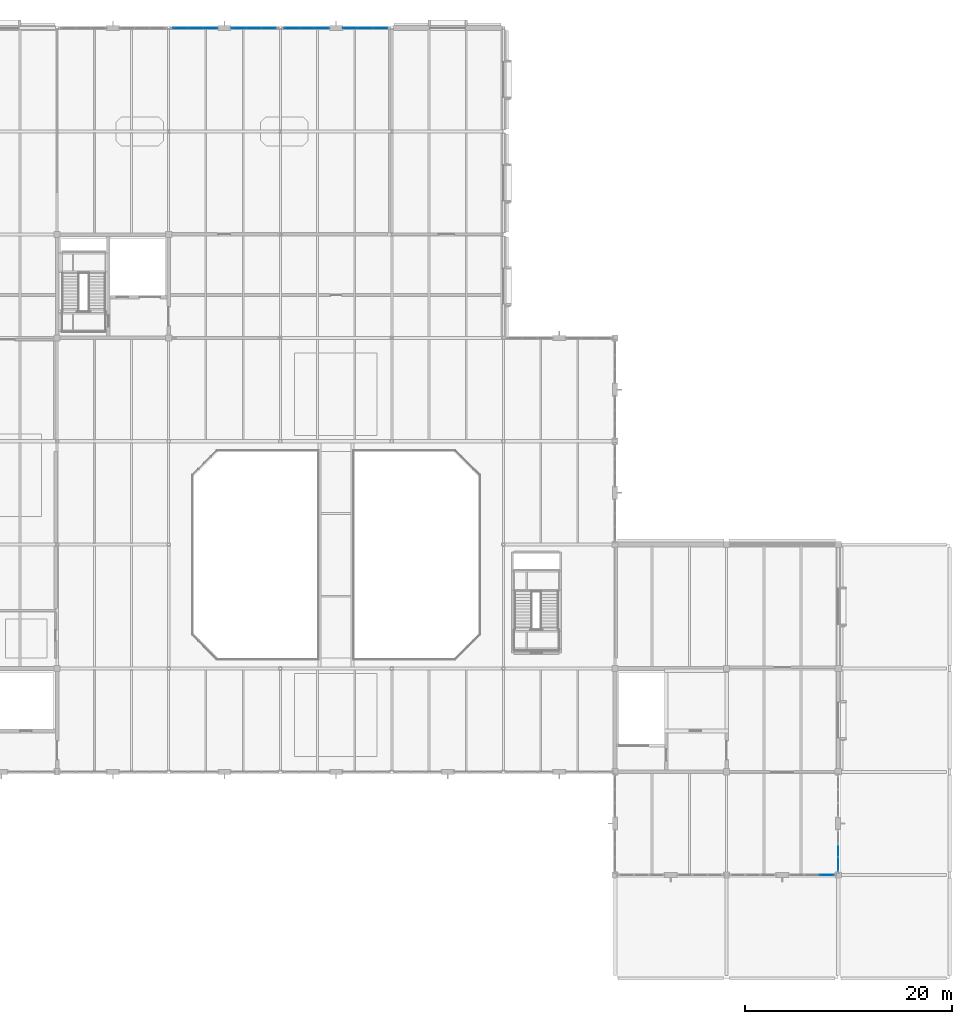
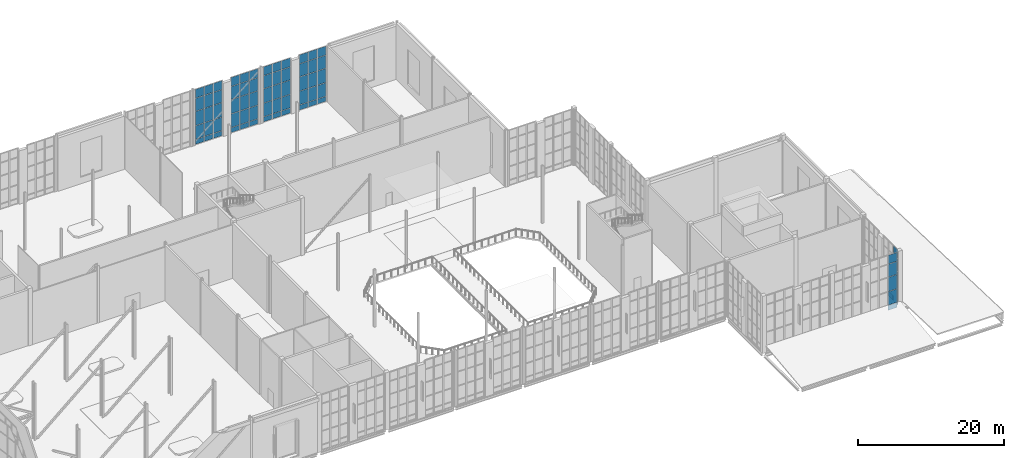
# One storey, part 72 of 100: 71 plates, 6 elements without a shape of their own.
"""IFC4 building model written with IfcOpenShell, lengths in metres."""

import ifcopenshell
import ifcopenshell.guid

model = None  # the IFC model being written
_history = None  # IfcOwnerHistory: only IFC2X3 demands one
_inside = {}  # id of a spatial element -> (the spatial element, [elements in it])
_under = {}  # id of a project, library or spatial element -> (it, [spatial elements below it])
_declared = {}  # id of a project -> (the project, [libraries it declares])
_typed = {}  # id of a type object -> (the type object, [elements of that type])
_made_of = {}  # id of a material, layer set ... -> (it, [elements and type objects made of it])


def new_model(schema):
    """Start an empty IFC model of exactly this schema.

    Asked for "IFC4X3", IfcOpenShell would pick the latest addendum, in which some entities
    have other attributes; the version numbers below select the first issue.
    IFC2X3 requires an IfcOwnerHistory on every rooted entity: one is made here for all.
    """
    global model, _history
    if schema == "IFC4X3":
        model = ifcopenshell.file(schema_version=(4, 3, 0, 0))
    else:
        model = ifcopenshell.file(schema=schema)
    _inside.clear()
    _under.clear()
    _declared.clear()
    _typed.clear()
    _made_of.clear()
    _history = None
    if model.schema == "IFC2X3":
        org = make("IfcOrganization", Name="unknown")
        user = make(
            "IfcPersonAndOrganization",
            ThePerson=make("IfcPerson", FamilyName="unknown"),
            TheOrganization=org,
        )
        app = make(
            "IfcApplication",
            ApplicationDeveloper=org,
            Version="unknown",
            ApplicationFullName="unknown",
            ApplicationIdentifier="unknown",
        )
        _history = make(
            "IfcOwnerHistory",
            OwningUser=user,
            OwningApplication=app,
            ChangeAction="ADDED",
            CreationDate=0,
        )
    return model


def make(cls, **values):
    """One entity of the class cls with the attributes given. An attribute that is None is left unset."""
    return model.create_entity(
        cls, **{name: value for name, value in values.items() if value is not None}
    )


def rooted(cls, **values):
    """An entity with a GlobalId (a new one), such as an element, a storey or a relation."""
    return make(cls, GlobalId=ifcopenshell.guid.new(), OwnerHistory=_history, **values)


def si_unit(unit_type, name, prefix=None):
    """IfcSIUnit, for example si_unit("LENGTHUNIT", "METRE", prefix="MILLI")."""
    return make("IfcSIUnit", UnitType=unit_type, Prefix=prefix, Name=name)


def assignment(units):
    """IfcUnitAssignment: the units of a project."""
    return None if units is None else make("IfcUnitAssignment", Units=units)


def point(xyz):
    """IfcCartesianPoint."""
    return None if xyz is None else make("IfcCartesianPoint", Coordinates=xyz)


def direction(xyz):
    """IfcDirection."""
    return None if xyz is None else make("IfcDirection", DirectionRatios=xyz)


def frame(location, z_axis=None, x_axis=None):
    """IfcAxis2Placement3D, a coordinate frame: its origin and axes. An axis left out is left unset."""
    return make(
        "IfcAxis2Placement3D",
        Location=point(location),
        Axis=direction(z_axis),
        RefDirection=direction(x_axis),
    )


def frame_2d(location, x_axis=None):
    """IfcAxis2Placement2D, a coordinate frame in the plane: its origin and x axis."""
    return make(
        "IfcAxis2Placement2D", Location=point(location), RefDirection=direction(x_axis)
    )


def origin():
    """The frame at (0, 0, 0) with its axes left unset."""
    return frame((0.0, 0.0, 0.0))


def origin_2d():
    """The frame at (0, 0) in the plane with its x axis left unset."""
    return frame_2d((0.0, 0.0))


def place(relative_to, where):
    """IfcLocalPlacement: puts the frame where relative to a parent placement (None: the world)."""
    return make(
        "IfcLocalPlacement", PlacementRelTo=relative_to, RelativePlacement=where
    )


def context(
    kind, dimensions, precision=None, world=None, true_north=None, identifier=None
):
    """IfcGeometricRepresentationContext, for example the 3D "Model" context."""
    return make(
        "IfcGeometricRepresentationContext",
        ContextIdentifier=identifier,
        ContextType=kind,
        CoordinateSpaceDimension=dimensions,
        Precision=precision,
        WorldCoordinateSystem=world,
        TrueNorth=true_north,
    )


def subcontext(parent, identifier, kind, view, scale=None):
    """IfcGeometricRepresentationSubContext, for example "Body" below "Model"."""
    return make(
        "IfcGeometricRepresentationSubContext",
        ContextIdentifier=identifier,
        ContextType=kind,
        ParentContext=parent,
        TargetScale=scale,
        TargetView=view,
    )


def project(units=None, contexts=None):
    """IfcProject with its units and contexts."""
    return rooted(
        "IfcProject",
        Name="project",
        RepresentationContexts=contexts,
        UnitsInContext=assignment(units),
    )


def spatial(cls, under=None, at=None, **own):
    """A site, building, storey or space (cls), placed at a placement, below another one or the project."""
    s = rooted(cls, ObjectPlacement=at, **own)
    if under is not None:
        _under.setdefault(under.id(), (under, []))[1].append(s)
    return s


def profile(cls, at=None, kind="AREA", **sizes):
    """A parametric profile (cls). Its sizes go by their IFC names, for example OverallWidth=200.0."""
    return make(cls, ProfileType=kind, Position=at, **sizes)


def rectangle(**sizes):
    """IfcRectangleProfileDef."""
    return profile("IfcRectangleProfileDef", **sizes)


def extrude(swept, where, along, depth):
    """IfcExtrudedAreaSolid: the profile swept, set in the frame where, extruded along a direction by depth."""
    return make(
        "IfcExtrudedAreaSolid",
        SweptArea=swept,
        Position=where,
        ExtrudedDirection=direction(along),
        Depth=depth,
    )


def shape(context_of_items, identifier, shape_type, items):
    """IfcShapeRepresentation: the items that make up one representation, for example the "Body"."""
    return make(
        "IfcShapeRepresentation",
        ContextOfItems=context_of_items,
        RepresentationIdentifier=identifier,
        RepresentationType=shape_type,
        Items=items,
    )


def material(Name=None, Category=None):
    """IfcMaterial."""
    return make("IfcMaterial", Name=Name, Category=Category)


def layer(
    of_material, thickness, ventilated=None, Name=None, Category=None, Priority=None
):
    """IfcMaterialLayer: one layer of a wall or slab, of a material (None: an air gap)."""
    return make(
        "IfcMaterialLayer",
        Material=of_material,
        LayerThickness=thickness,
        IsVentilated=ventilated,
        Name=Name,
        Category=Category,
        Priority=Priority,
    )


def layer_set(layers, Name=None):
    """IfcMaterialLayerSet."""
    return make("IfcMaterialLayerSet", MaterialLayers=layers, LayerSetName=Name)


def made_of(thing, what):
    """Note that an element or type object is made of a material, layer set ...; save() writes the relation."""
    if what is not None:
        _made_of.setdefault(what.id(), (what, []))[1].append(thing)
    return thing


def type_object(cls, material=None, **own):
    """A type object (cls), such as IfcWallType, which elements share."""
    return made_of(rooted(cls, **own), material)


def element(
    cls,
    number,
    at=None,
    inside=None,
    cuts=None,
    type_object=None,
    material=None,
    context=None,
    identifier="Body",
    shape_type=None,
    held_by="IfcProductDefinitionShape",
    body=None,
    shapes=None,
    **own,
):
    """One element of the class cls, such as IfcWall. Its Tag is "e" and its number.

    at: its placement. inside: the storey or other place that contains it. cuts: it is an
    opening in that element (IfcRelVoidsElement). A single representation is given by context,
    identifier, shape_type and body (its items); several are given by shapes. held_by: the class
    of the entity that holds the representations. save() writes the other relations.
    """
    e = rooted(cls, Tag="e%d" % number, ObjectPlacement=at, **own)
    if body is not None:
        shapes = [shape(context, identifier, shape_type, body)]
    if shapes is not None:
        e.Representation = make(held_by, Representations=shapes)
    if inside is not None:
        _inside.setdefault(inside.id(), (inside, []))[1].append(e)
    if cuts is not None:
        rooted(
            "IfcRelVoidsElement", RelatingBuildingElement=cuts, RelatedOpeningElement=e
        )
    if type_object is not None:
        _typed.setdefault(type_object.id(), (type_object, []))[1].append(e)
    return made_of(e, material)


def aggregate(whole, parts):
    """IfcRelAggregates: a whole, such as a stair, and the parts it consists of."""
    return rooted("IfcRelAggregates", RelatingObject=whole, RelatedObjects=parts)


def save(model, path):
    """Write the relations noted so far, then the file.

    IfcRelAggregates (storeys below a building ...), IfcRelContainedInSpatialStructure (elements
    in a storey), IfcRelDefinesByType, IfcRelAssociatesMaterial and IfcRelDeclares: one each for
    every whole, place, type object, material and project.
    """
    for whole, parts in _under.values():
        aggregate(whole, parts)
    for where, things in _inside.values():
        rooted(
            "IfcRelContainedInSpatialStructure",
            RelatedElements=things,
            RelatingStructure=where,
        )
    for kind, things in _typed.values():
        rooted("IfcRelDefinesByType", RelatedObjects=things, RelatingType=kind)
    for what, things in _made_of.values():
        rooted("IfcRelAssociatesMaterial", RelatedObjects=things, RelatingMaterial=what)
    for by, libraries in _declared.values():
        rooted("IfcRelDeclares", RelatingContext=by, RelatedDefinitions=libraries)
    model.write(path)


model = new_model("IFC4")

# Units and contexts
model_context = context("Model", 3, precision=1e-05, world=origin(), true_north=direction((0.0, 1.0)))
body_context = subcontext(model_context, "Body", "Model", "MODEL_VIEW")
ifc_project = project(units=[si_unit("LENGTHUNIT", "METRE"), si_unit("AREAUNIT", "SQUARE_METRE"), si_unit("VOLUMEUNIT", "CUBIC_METRE"), si_unit("PLANEANGLEUNIT", "RADIAN"), si_unit("MASSUNIT", "GRAM", prefix="KILO")], contexts=[model_context])

# Site, building, storey
site_placement = place(None, origin())
site = spatial("IfcSite", under=ifc_project, at=site_placement, CompositionType="ELEMENT")
building_placement = place(site_placement, origin())
building = spatial("IfcBuilding", under=site, at=building_placement, Name="Tasgan Crest Museum", CompositionType="ELEMENT")
storey_placement = place(building_placement, frame((0.0, 0.0, 14.39990234375)))
storey = spatial("IfcBuildingStorey", under=building, at=storey_placement, Name="L03", CompositionType="ELEMENT", Elevation=14.39990234375)

# Curtain wall, plate
ifc_material_1 = material(Name="Triple-Glazed Aluminium Curtain Wall", Category="aluminium")
ifc_layer_1 = layer(ifc_material_1, 0.179931640625, Name="CW-GAL-X-96")
ifc_layer_set_1 = layer_set([ifc_layer_1], Name="Triple-Glazed Aluminium Curtain Wall")
curtain_wall_type_1 = type_object("IfcCurtainWallType", Name="CW-GAL-X-96", PredefinedType="NOTDEFINED", material=ifc_layer_set_1)
curtain_wall_1_placement = place(storey_placement, origin())
curtain_wall_1 = element("IfcCurtainWall", 1, at=curtain_wall_1_placement, inside=storey, type_object=curtain_wall_type_1, Name="Curtain wall L03 116", PredefinedType="NOTDEFINED")
ifc_material_2 = material(Name="Insulated Spandrel Glass", Category="glass")
ifc_layer_2 = layer(ifc_material_2, 0.052001953125, Name="CW-PANEL-SPANDREL")
ifc_layer_set_2 = layer_set([ifc_layer_2], Name="Insulated Spandrel Glass")
plate_type_1 = type_object("IfcPlateType", Name="CW-PANEL-SPANDREL", PredefinedType="CURTAIN_PANEL", material=ifc_layer_set_2)
plate_1_placement = place(storey_placement, frame((128.48828125, 30.0, 0.06005859375), z_axis=(0.0, 0.0, 1.0), x_axis=(1.0, 0.0, 0.0)))
plate_1 = element("IfcPlate", 2, at=plate_1_placement, type_object=plate_type_1, Name="CW14 panel 3.1", PredefinedType="CURTAIN_PANEL", context=body_context, shape_type="SweptSolid", body=[
    extrude(rectangle(XDim=1.373291015625, YDim=0.028076171875, at=origin_2d()), origin(), (0.0, 0.0, 1.0), 0.81005859375),
])

# Curtain wall, plates
ifc_material_3 = material(Name="Triple-Glazed Aluminium Curtain Wall", Category="aluminium")
ifc_layer_3 = layer(ifc_material_3, 0.179931640625, Name="CW-GAL-Y-96")
ifc_layer_set_3 = layer_set([ifc_layer_3], Name="Triple-Glazed Aluminium Curtain Wall")
curtain_wall_type_2 = type_object("IfcCurtainWallType", Name="CW-GAL-Y-96", PredefinedType="NOTDEFINED", material=ifc_layer_set_3)
curtain_wall_2_placement = place(storey_placement, origin())
curtain_wall_2 = element("IfcCurtainWall", 3, at=curtain_wall_2_placement, inside=storey, type_object=curtain_wall_type_2, Name="Curtain wall L03 117", PredefinedType="NOTDEFINED")
plate_2_placement = place(storey_placement, frame((129.60009765625, 31.044921875, 0.06005859375), z_axis=(0.0, 0.0, 1.0), x_axis=(0.0, 1.0, 0.0)))
plate_2 = element("IfcPlate", 4, at=plate_2_placement, type_object=plate_type_1, Name="CW17 panel 1.1", PredefinedType="CURTAIN_PANEL", context=body_context, shape_type="SweptSolid", body=[
    extrude(rectangle(XDim=1.239990234375, YDim=0.028076171875, at=origin_2d()), origin(), (0.0, 0.0, 1.0), 0.81005859375),
])
plate_3_placement = place(storey_placement, frame((129.60009765625, 32.360107421875, 0.06005859375), z_axis=(0.0, 0.0, 1.0), x_axis=(0.0, 1.0, 0.0)))
plate_3 = element("IfcPlate", 5, at=plate_3_placement, type_object=plate_type_1, Name="CW17 panel 2.1", PredefinedType="CURTAIN_PANEL", context=body_context, shape_type="SweptSolid", body=[
    extrude(rectangle(XDim=1.27001953125, YDim=0.028076171875, at=origin_2d()), origin(), (0.0, 0.0, 1.0), 0.81005859375),
])

curtain_wall_3_placement = place(storey_placement, origin())
curtain_wall_3 = element("IfcCurtainWall", 6, at=curtain_wall_3_placement, inside=storey, type_object=curtain_wall_type_1, Name="Curtain wall L03 125", PredefinedType="NOTDEFINED")
plate_4_placement = place(storey_placement, frame((85.288330078125, 112.0, 0.06005859375), z_axis=(0.0, 0.0, 1.0), x_axis=(-1.0, 0.0, 0.0)))
plate_4 = element("IfcPlate", 7, at=plate_4_placement, type_object=plate_type_1, Name="CW14 panel 1.1", PredefinedType="CURTAIN_PANEL", context=body_context, shape_type="SweptSolid", body=[
    extrude(rectangle(XDim=1.373291015625, YDim=0.028076171875, at=origin_2d()), origin(), (0.0, 0.0, 1.0), 0.81005859375),
])
plate_5_placement = place(storey_placement, frame((83.840087890625, 112.0, 0.06005859375), z_axis=(0.0, 0.0, 1.0), x_axis=(-1.0, 0.0, 0.0)))
plate_5 = element("IfcPlate", 8, at=plate_5_placement, type_object=plate_type_1, Name="CW14 panel 2.1", PredefinedType="CURTAIN_PANEL", context=body_context, shape_type="SweptSolid", body=[
    extrude(rectangle(XDim=1.4033203125, YDim=0.028076171875, at=origin_2d()), origin(), (0.0, 0.0, 1.0), 0.81005859375),
])
plate_6_placement = place(storey_placement, frame((82.3916015625, 112.0, 0.06005859375), z_axis=(0.0, 0.0, 1.0), x_axis=(-1.0, 0.0, 0.0)))
plate_6 = element("IfcPlate", 9, at=plate_6_placement, type_object=plate_type_1, Name="CW14 panel 3.1", PredefinedType="CURTAIN_PANEL", context=body_context, shape_type="SweptSolid", body=[
    extrude(rectangle(XDim=1.373291015625, YDim=0.028076171875, at=origin_2d()), origin(), (0.0, 0.0, 1.0), 0.81005859375),
])

curtain_wall_4_placement = place(storey_placement, origin())
curtain_wall_4 = element("IfcCurtainWall", 10, at=curtain_wall_4_placement, inside=storey, type_object=curtain_wall_type_1, Name="Curtain wall L03 126", PredefinedType="NOTDEFINED")
plate_7_placement = place(storey_placement, frame((79.6083984375, 112.0, 0.06005859375), z_axis=(0.0, 0.0, 1.0), x_axis=(-1.0, 0.0, 0.0)))
plate_7 = element("IfcPlate", 11, at=plate_7_placement, type_object=plate_type_1, Name="CW14 panel 1.1", PredefinedType="CURTAIN_PANEL", context=body_context, shape_type="SweptSolid", body=[
    extrude(rectangle(XDim=1.373291015625, YDim=0.028076171875, at=origin_2d()), origin(), (0.0, 0.0, 1.0), 0.81005859375),
])
plate_8_placement = place(storey_placement, frame((78.159912109375, 112.0, 0.06005859375), z_axis=(0.0, 0.0, 1.0), x_axis=(-1.0, 0.0, 0.0)))
plate_8 = element("IfcPlate", 12, at=plate_8_placement, type_object=plate_type_1, Name="CW14 panel 2.1", PredefinedType="CURTAIN_PANEL", context=body_context, shape_type="SweptSolid", body=[
    extrude(rectangle(XDim=1.4033203125, YDim=0.028076171875, at=origin_2d()), origin(), (0.0, 0.0, 1.0), 0.81005859375),
])
plate_9_placement = place(storey_placement, frame((76.711669921875, 112.0, 0.06005859375), z_axis=(0.0, 0.0, 1.0), x_axis=(-1.0, 0.0, 0.0)))
plate_9 = element("IfcPlate", 13, at=plate_9_placement, type_object=plate_type_1, Name="CW14 panel 3.1", PredefinedType="CURTAIN_PANEL", context=body_context, shape_type="SweptSolid", body=[
    extrude(rectangle(XDim=1.373291015625, YDim=0.028076171875, at=origin_2d()), origin(), (0.0, 0.0, 1.0), 0.81005859375),
])

curtain_wall_5_placement = place(storey_placement, origin())
curtain_wall_5 = element("IfcCurtainWall", 14, at=curtain_wall_5_placement, inside=storey, type_object=curtain_wall_type_1, Name="Curtain wall L03 127", PredefinedType="NOTDEFINED")
plate_10_placement = place(storey_placement, frame((74.48828125, 112.0, 0.06005859375), z_axis=(0.0, 0.0, 1.0), x_axis=(-1.0, 0.0, 0.0)))
plate_10 = element("IfcPlate", 15, at=plate_10_placement, type_object=plate_type_1, Name="CW14 panel 1.1", PredefinedType="CURTAIN_PANEL", context=body_context, shape_type="SweptSolid", body=[
    extrude(rectangle(XDim=1.373291015625, YDim=0.028076171875, at=origin_2d()), origin(), (0.0, 0.0, 1.0), 0.81005859375),
])
plate_11_placement = place(storey_placement, frame((73.0400390625, 112.0, 0.06005859375), z_axis=(0.0, 0.0, 1.0), x_axis=(-1.0, 0.0, 0.0)))
plate_11 = element("IfcPlate", 16, at=plate_11_placement, type_object=plate_type_1, Name="CW14 panel 2.1", PredefinedType="CURTAIN_PANEL", context=body_context, shape_type="SweptSolid", body=[
    extrude(rectangle(XDim=1.4033203125, YDim=0.028076171875, at=origin_2d()), origin(), (0.0, 0.0, 1.0), 0.81005859375),
])
plate_12_placement = place(storey_placement, frame((71.591552734375, 112.0, 0.06005859375), z_axis=(0.0, 0.0, 1.0), x_axis=(-1.0, 0.0, 0.0)))
plate_12 = element("IfcPlate", 17, at=plate_12_placement, type_object=plate_type_1, Name="CW14 panel 3.1", PredefinedType="CURTAIN_PANEL", context=body_context, shape_type="SweptSolid", body=[
    extrude(rectangle(XDim=1.373291015625, YDim=0.028076171875, at=origin_2d()), origin(), (0.0, 0.0, 1.0), 0.81005859375),
])

curtain_wall_6_placement = place(storey_placement, origin())
curtain_wall_6 = element("IfcCurtainWall", 18, at=curtain_wall_6_placement, inside=storey, type_object=curtain_wall_type_1, Name="Curtain wall L03 128", PredefinedType="NOTDEFINED")
plate_13_placement = place(storey_placement, frame((68.808349609375, 112.0, 0.06005859375), z_axis=(0.0, 0.0, 1.0), x_axis=(-1.0, 0.0, 0.0)))
plate_13 = element("IfcPlate", 19, at=plate_13_placement, type_object=plate_type_1, Name="CW14 panel 1.1", PredefinedType="CURTAIN_PANEL", context=body_context, shape_type="SweptSolid", body=[
    extrude(rectangle(XDim=1.373291015625, YDim=0.028076171875, at=origin_2d()), origin(), (0.0, 0.0, 1.0), 0.81005859375),
])
plate_14_placement = place(storey_placement, frame((67.360107421875, 112.0, 0.06005859375), z_axis=(0.0, 0.0, 1.0), x_axis=(-1.0, 0.0, 0.0)))
plate_14 = element("IfcPlate", 20, at=plate_14_placement, type_object=plate_type_1, Name="CW14 panel 2.1", PredefinedType="CURTAIN_PANEL", context=body_context, shape_type="SweptSolid", body=[
    extrude(rectangle(XDim=1.4033203125, YDim=0.028076171875, at=origin_2d()), origin(), (0.0, 0.0, 1.0), 0.81005859375),
])
plate_15_placement = place(storey_placement, frame((65.91162109375, 112.0, 0.06005859375), z_axis=(0.0, 0.0, 1.0), x_axis=(-1.0, 0.0, 0.0)))
plate_15 = element("IfcPlate", 21, at=plate_15_placement, type_object=plate_type_1, Name="CW14 panel 3.1", PredefinedType="CURTAIN_PANEL", context=body_context, shape_type="SweptSolid", body=[
    extrude(rectangle(XDim=1.373291015625, YDim=0.028076171875, at=origin_2d()), origin(), (0.0, 0.0, 1.0), 0.81005859375),
])

# Plate
ifc_material_4 = material(Name="Low-E Triple Glazing", Category="glass")
ifc_layer_4 = layer(ifc_material_4, 0.0439453125, Name="CW-PANEL-TRIPLE")
ifc_layer_set_4 = layer_set([ifc_layer_4], Name="Low-E Triple Glazing")
plate_type_2 = type_object("IfcPlateType", Name="CW-PANEL-TRIPLE", PredefinedType="CURTAIN_PANEL", material=ifc_layer_set_4)
plate_16_placement = place(storey_placement, frame((128.48828125, 30.0, 0.93017578125), z_axis=(0.0, 0.0, 1.0), x_axis=(1.0, 0.0, 0.0)))
plate_16 = element("IfcPlate", 22, at=plate_16_placement, type_object=plate_type_2, Name="CW14 panel 3.2", PredefinedType="CURTAIN_PANEL", context=body_context, shape_type="SweptSolid", body=[
    extrude(rectangle(XDim=1.373291015625, YDim=0.028076171875, at=origin_2d()), origin(), (0.0, 0.0, 1.0), 2.239990234375),
])

plate_17_placement = place(storey_placement, frame((128.48828125, 30.0, 3.22998046875), z_axis=(0.0, 0.0, 1.0), x_axis=(1.0, 0.0, 0.0)))
plate_17 = element("IfcPlate", 23, at=plate_17_placement, type_object=plate_type_2, Name="CW14 panel 3.3", PredefinedType="CURTAIN_PANEL", context=body_context, shape_type="SweptSolid", body=[
    extrude(rectangle(XDim=1.373291015625, YDim=0.028076171875, at=origin_2d()), origin(), (0.0, 0.0, 1.0), 2.340087890625),
])

plate_18_placement = place(storey_placement, frame((128.48828125, 30.0, 5.63037109375), z_axis=(0.0, 0.0, 1.0), x_axis=(1.0, 0.0, 0.0)))
plate_18 = element("IfcPlate", 24, at=plate_18_placement, type_object=plate_type_2, Name="CW14 panel 3.4", PredefinedType="CURTAIN_PANEL", context=body_context, shape_type="SweptSolid", body=[
    extrude(rectangle(XDim=1.373291015625, YDim=0.028076171875, at=origin_2d()), origin(), (0.0, 0.0, 1.0), 2.139892578125),
])

plate_19_placement = place(storey_placement, frame((128.48828125, 30.0, 7.830078125), z_axis=(0.0, 0.0, 1.0), x_axis=(1.0, 0.0, 0.0)))
plate_19 = element("IfcPlate", 25, at=plate_19_placement, type_object=plate_type_2, Name="CW14 panel 3.5", PredefinedType="CURTAIN_PANEL", context=body_context, shape_type="SweptSolid", body=[
    extrude(rectangle(XDim=1.373291015625, YDim=0.028076171875, at=origin_2d()), origin(), (0.0, 0.0, 1.0), 1.469970703125),
])

aggregate(curtain_wall_1, [plate_1, plate_16, plate_17, plate_18, plate_19])

plate_20_placement = place(storey_placement, frame((129.60009765625, 31.044921875, 0.93017578125), z_axis=(0.0, 0.0, 1.0), x_axis=(0.0, 1.0, 0.0)))
plate_20 = element("IfcPlate", 26, at=plate_20_placement, type_object=plate_type_2, Name="CW17 panel 1.2", PredefinedType="CURTAIN_PANEL", context=body_context, shape_type="SweptSolid", body=[
    extrude(rectangle(XDim=1.239990234375, YDim=0.028076171875, at=origin_2d()), origin(), (0.0, 0.0, 1.0), 2.239990234375),
])

plate_21_placement = place(storey_placement, frame((129.60009765625, 31.044921875, 3.22998046875), z_axis=(0.0, 0.0, 1.0), x_axis=(0.0, 1.0, 0.0)))
plate_21 = element("IfcPlate", 27, at=plate_21_placement, type_object=plate_type_2, Name="CW17 panel 1.3", PredefinedType="CURTAIN_PANEL", context=body_context, shape_type="SweptSolid", body=[
    extrude(rectangle(XDim=1.239990234375, YDim=0.028076171875, at=origin_2d()), origin(), (0.0, 0.0, 1.0), 2.340087890625),
])

plate_22_placement = place(storey_placement, frame((129.60009765625, 31.044921875, 5.63037109375), z_axis=(0.0, 0.0, 1.0), x_axis=(0.0, 1.0, 0.0)))
plate_22 = element("IfcPlate", 28, at=plate_22_placement, type_object=plate_type_2, Name="CW17 panel 1.4", PredefinedType="CURTAIN_PANEL", context=body_context, shape_type="SweptSolid", body=[
    extrude(rectangle(XDim=1.239990234375, YDim=0.028076171875, at=origin_2d()), origin(), (0.0, 0.0, 1.0), 2.139892578125),
])

plate_23_placement = place(storey_placement, frame((129.60009765625, 31.044921875, 7.830078125), z_axis=(0.0, 0.0, 1.0), x_axis=(0.0, 1.0, 0.0)))
plate_23 = element("IfcPlate", 29, at=plate_23_placement, type_object=plate_type_2, Name="CW17 panel 1.5", PredefinedType="CURTAIN_PANEL", context=body_context, shape_type="SweptSolid", body=[
    extrude(rectangle(XDim=1.239990234375, YDim=0.028076171875, at=origin_2d()), origin(), (0.0, 0.0, 1.0), 1.469970703125),
])

aggregate(curtain_wall_2, [plate_2, plate_20, plate_21, plate_22, plate_23, plate_3])

plate_24_placement = place(storey_placement, frame((85.288330078125, 112.0, 0.93017578125), z_axis=(0.0, 0.0, 1.0), x_axis=(-1.0, 0.0, 0.0)))
plate_24 = element("IfcPlate", 30, at=plate_24_placement, type_object=plate_type_2, Name="CW14 panel 1.2", PredefinedType="CURTAIN_PANEL", context=body_context, shape_type="SweptSolid", body=[
    extrude(rectangle(XDim=1.373291015625, YDim=0.028076171875, at=origin_2d()), origin(), (0.0, 0.0, 1.0), 2.239990234375),
])

plate_25_placement = place(storey_placement, frame((85.288330078125, 112.0, 3.22998046875), z_axis=(0.0, 0.0, 1.0), x_axis=(-1.0, 0.0, 0.0)))
plate_25 = element("IfcPlate", 31, at=plate_25_placement, type_object=plate_type_2, Name="CW14 panel 1.3", PredefinedType="CURTAIN_PANEL", context=body_context, shape_type="SweptSolid", body=[
    extrude(rectangle(XDim=1.373291015625, YDim=0.028076171875, at=origin_2d()), origin(), (0.0, 0.0, 1.0), 2.340087890625),
])

plate_26_placement = place(storey_placement, frame((85.288330078125, 112.0, 5.63037109375), z_axis=(0.0, 0.0, 1.0), x_axis=(-1.0, 0.0, 0.0)))
plate_26 = element("IfcPlate", 32, at=plate_26_placement, type_object=plate_type_2, Name="CW14 panel 1.4", PredefinedType="CURTAIN_PANEL", context=body_context, shape_type="SweptSolid", body=[
    extrude(rectangle(XDim=1.373291015625, YDim=0.028076171875, at=origin_2d()), origin(), (0.0, 0.0, 1.0), 2.139892578125),
])

plate_27_placement = place(storey_placement, frame((85.288330078125, 112.0, 7.830078125), z_axis=(0.0, 0.0, 1.0), x_axis=(-1.0, 0.0, 0.0)))
plate_27 = element("IfcPlate", 33, at=plate_27_placement, type_object=plate_type_2, Name="CW14 panel 1.5", PredefinedType="CURTAIN_PANEL", context=body_context, shape_type="SweptSolid", body=[
    extrude(rectangle(XDim=1.373291015625, YDim=0.028076171875, at=origin_2d()), origin(), (0.0, 0.0, 1.0), 1.469970703125),
])

plate_28_placement = place(storey_placement, frame((83.840087890625, 112.0, 0.93017578125), z_axis=(0.0, 0.0, 1.0), x_axis=(-1.0, 0.0, 0.0)))
plate_28 = element("IfcPlate", 34, at=plate_28_placement, type_object=plate_type_2, Name="CW14 panel 2.2", PredefinedType="CURTAIN_PANEL", context=body_context, shape_type="SweptSolid", body=[
    extrude(rectangle(XDim=1.4033203125, YDim=0.028076171875, at=origin_2d()), origin(), (0.0, 0.0, 1.0), 2.239990234375),
])

plate_29_placement = place(storey_placement, frame((83.840087890625, 112.0, 3.22998046875), z_axis=(0.0, 0.0, 1.0), x_axis=(-1.0, 0.0, 0.0)))
plate_29 = element("IfcPlate", 35, at=plate_29_placement, type_object=plate_type_2, Name="CW14 panel 2.3", PredefinedType="CURTAIN_PANEL", context=body_context, shape_type="SweptSolid", body=[
    extrude(rectangle(XDim=1.4033203125, YDim=0.028076171875, at=origin_2d()), origin(), (0.0, 0.0, 1.0), 2.340087890625),
])

plate_30_placement = place(storey_placement, frame((83.840087890625, 112.0, 5.63037109375), z_axis=(0.0, 0.0, 1.0), x_axis=(-1.0, 0.0, 0.0)))
plate_30 = element("IfcPlate", 36, at=plate_30_placement, type_object=plate_type_2, Name="CW14 panel 2.4", PredefinedType="CURTAIN_PANEL", context=body_context, shape_type="SweptSolid", body=[
    extrude(rectangle(XDim=1.4033203125, YDim=0.028076171875, at=origin_2d()), origin(), (0.0, 0.0, 1.0), 2.139892578125),
])

plate_31_placement = place(storey_placement, frame((83.840087890625, 112.0, 7.830078125), z_axis=(0.0, 0.0, 1.0), x_axis=(-1.0, 0.0, 0.0)))
plate_31 = element("IfcPlate", 37, at=plate_31_placement, type_object=plate_type_2, Name="CW14 panel 2.5", PredefinedType="CURTAIN_PANEL", context=body_context, shape_type="SweptSolid", body=[
    extrude(rectangle(XDim=1.4033203125, YDim=0.028076171875, at=origin_2d()), origin(), (0.0, 0.0, 1.0), 1.469970703125),
])

plate_32_placement = place(storey_placement, frame((82.3916015625, 112.0, 0.93017578125), z_axis=(0.0, 0.0, 1.0), x_axis=(-1.0, 0.0, 0.0)))
plate_32 = element("IfcPlate", 38, at=plate_32_placement, type_object=plate_type_2, Name="CW14 panel 3.2", PredefinedType="CURTAIN_PANEL", context=body_context, shape_type="SweptSolid", body=[
    extrude(rectangle(XDim=1.373291015625, YDim=0.028076171875, at=origin_2d()), origin(), (0.0, 0.0, 1.0), 2.239990234375),
])

plate_33_placement = place(storey_placement, frame((82.3916015625, 112.0, 3.22998046875), z_axis=(0.0, 0.0, 1.0), x_axis=(-1.0, 0.0, 0.0)))
plate_33 = element("IfcPlate", 39, at=plate_33_placement, type_object=plate_type_2, Name="CW14 panel 3.3", PredefinedType="CURTAIN_PANEL", context=body_context, shape_type="SweptSolid", body=[
    extrude(rectangle(XDim=1.373291015625, YDim=0.028076171875, at=origin_2d()), origin(), (0.0, 0.0, 1.0), 2.340087890625),
])

plate_34_placement = place(storey_placement, frame((82.3916015625, 112.0, 5.63037109375), z_axis=(0.0, 0.0, 1.0), x_axis=(-1.0, 0.0, 0.0)))
plate_34 = element("IfcPlate", 40, at=plate_34_placement, type_object=plate_type_2, Name="CW14 panel 3.4", PredefinedType="CURTAIN_PANEL", context=body_context, shape_type="SweptSolid", body=[
    extrude(rectangle(XDim=1.373291015625, YDim=0.028076171875, at=origin_2d()), origin(), (0.0, 0.0, 1.0), 2.139892578125),
])

plate_35_placement = place(storey_placement, frame((82.3916015625, 112.0, 7.830078125), z_axis=(0.0, 0.0, 1.0), x_axis=(-1.0, 0.0, 0.0)))
plate_35 = element("IfcPlate", 41, at=plate_35_placement, type_object=plate_type_2, Name="CW14 panel 3.5", PredefinedType="CURTAIN_PANEL", context=body_context, shape_type="SweptSolid", body=[
    extrude(rectangle(XDim=1.373291015625, YDim=0.028076171875, at=origin_2d()), origin(), (0.0, 0.0, 1.0), 1.469970703125),
])

aggregate(curtain_wall_3, [plate_4, plate_24, plate_25, plate_26, plate_27, plate_5, plate_28, plate_29, plate_30, plate_31, plate_6, plate_32, plate_33, plate_34, plate_35])

plate_36_placement = place(storey_placement, frame((79.6083984375, 112.0, 0.93017578125), z_axis=(0.0, 0.0, 1.0), x_axis=(-1.0, 0.0, 0.0)))
plate_36 = element("IfcPlate", 42, at=plate_36_placement, type_object=plate_type_2, Name="CW14 panel 1.2", PredefinedType="CURTAIN_PANEL", context=body_context, shape_type="SweptSolid", body=[
    extrude(rectangle(XDim=1.373291015625, YDim=0.028076171875, at=origin_2d()), origin(), (0.0, 0.0, 1.0), 2.239990234375),
])

plate_37_placement = place(storey_placement, frame((79.6083984375, 112.0, 3.22998046875), z_axis=(0.0, 0.0, 1.0), x_axis=(-1.0, 0.0, 0.0)))
plate_37 = element("IfcPlate", 43, at=plate_37_placement, type_object=plate_type_2, Name="CW14 panel 1.3", PredefinedType="CURTAIN_PANEL", context=body_context, shape_type="SweptSolid", body=[
    extrude(rectangle(XDim=1.373291015625, YDim=0.028076171875, at=origin_2d()), origin(), (0.0, 0.0, 1.0), 2.340087890625),
])

plate_38_placement = place(storey_placement, frame((79.6083984375, 112.0, 5.63037109375), z_axis=(0.0, 0.0, 1.0), x_axis=(-1.0, 0.0, 0.0)))
plate_38 = element("IfcPlate", 44, at=plate_38_placement, type_object=plate_type_2, Name="CW14 panel 1.4", PredefinedType="CURTAIN_PANEL", context=body_context, shape_type="SweptSolid", body=[
    extrude(rectangle(XDim=1.373291015625, YDim=0.028076171875, at=origin_2d()), origin(), (0.0, 0.0, 1.0), 2.139892578125),
])

plate_39_placement = place(storey_placement, frame((79.6083984375, 112.0, 7.830078125), z_axis=(0.0, 0.0, 1.0), x_axis=(-1.0, 0.0, 0.0)))
plate_39 = element("IfcPlate", 45, at=plate_39_placement, type_object=plate_type_2, Name="CW14 panel 1.5", PredefinedType="CURTAIN_PANEL", context=body_context, shape_type="SweptSolid", body=[
    extrude(rectangle(XDim=1.373291015625, YDim=0.028076171875, at=origin_2d()), origin(), (0.0, 0.0, 1.0), 1.469970703125),
])

plate_40_placement = place(storey_placement, frame((78.159912109375, 112.0, 0.93017578125), z_axis=(0.0, 0.0, 1.0), x_axis=(-1.0, 0.0, 0.0)))
plate_40 = element("IfcPlate", 46, at=plate_40_placement, type_object=plate_type_2, Name="CW14 panel 2.2", PredefinedType="CURTAIN_PANEL", context=body_context, shape_type="SweptSolid", body=[
    extrude(rectangle(XDim=1.4033203125, YDim=0.028076171875, at=origin_2d()), origin(), (0.0, 0.0, 1.0), 2.239990234375),
])

plate_41_placement = place(storey_placement, frame((78.159912109375, 112.0, 3.22998046875), z_axis=(0.0, 0.0, 1.0), x_axis=(-1.0, 0.0, 0.0)))
plate_41 = element("IfcPlate", 47, at=plate_41_placement, type_object=plate_type_2, Name="CW14 panel 2.3", PredefinedType="CURTAIN_PANEL", context=body_context, shape_type="SweptSolid", body=[
    extrude(rectangle(XDim=1.4033203125, YDim=0.028076171875, at=origin_2d()), origin(), (0.0, 0.0, 1.0), 2.340087890625),
])

plate_42_placement = place(storey_placement, frame((78.159912109375, 112.0, 5.63037109375), z_axis=(0.0, 0.0, 1.0), x_axis=(-1.0, 0.0, 0.0)))
plate_42 = element("IfcPlate", 48, at=plate_42_placement, type_object=plate_type_2, Name="CW14 panel 2.4", PredefinedType="CURTAIN_PANEL", context=body_context, shape_type="SweptSolid", body=[
    extrude(rectangle(XDim=1.4033203125, YDim=0.028076171875, at=origin_2d()), origin(), (0.0, 0.0, 1.0), 2.139892578125),
])

plate_43_placement = place(storey_placement, frame((78.159912109375, 112.0, 7.830078125), z_axis=(0.0, 0.0, 1.0), x_axis=(-1.0, 0.0, 0.0)))
plate_43 = element("IfcPlate", 49, at=plate_43_placement, type_object=plate_type_2, Name="CW14 panel 2.5", PredefinedType="CURTAIN_PANEL", context=body_context, shape_type="SweptSolid", body=[
    extrude(rectangle(XDim=1.4033203125, YDim=0.028076171875, at=origin_2d()), origin(), (0.0, 0.0, 1.0), 1.469970703125),
])

plate_44_placement = place(storey_placement, frame((76.711669921875, 112.0, 0.93017578125), z_axis=(0.0, 0.0, 1.0), x_axis=(-1.0, 0.0, 0.0)))
plate_44 = element("IfcPlate", 50, at=plate_44_placement, type_object=plate_type_2, Name="CW14 panel 3.2", PredefinedType="CURTAIN_PANEL", context=body_context, shape_type="SweptSolid", body=[
    extrude(rectangle(XDim=1.373291015625, YDim=0.028076171875, at=origin_2d()), origin(), (0.0, 0.0, 1.0), 2.239990234375),
])

plate_45_placement = place(storey_placement, frame((76.711669921875, 112.0, 3.22998046875), z_axis=(0.0, 0.0, 1.0), x_axis=(-1.0, 0.0, 0.0)))
plate_45 = element("IfcPlate", 51, at=plate_45_placement, type_object=plate_type_2, Name="CW14 panel 3.3", PredefinedType="CURTAIN_PANEL", context=body_context, shape_type="SweptSolid", body=[
    extrude(rectangle(XDim=1.373291015625, YDim=0.028076171875, at=origin_2d()), origin(), (0.0, 0.0, 1.0), 2.340087890625),
])

plate_46_placement = place(storey_placement, frame((76.711669921875, 112.0, 5.63037109375), z_axis=(0.0, 0.0, 1.0), x_axis=(-1.0, 0.0, 0.0)))
plate_46 = element("IfcPlate", 52, at=plate_46_placement, type_object=plate_type_2, Name="CW14 panel 3.4", PredefinedType="CURTAIN_PANEL", context=body_context, shape_type="SweptSolid", body=[
    extrude(rectangle(XDim=1.373291015625, YDim=0.028076171875, at=origin_2d()), origin(), (0.0, 0.0, 1.0), 2.139892578125),
])

plate_47_placement = place(storey_placement, frame((76.711669921875, 112.0, 7.830078125), z_axis=(0.0, 0.0, 1.0), x_axis=(-1.0, 0.0, 0.0)))
plate_47 = element("IfcPlate", 53, at=plate_47_placement, type_object=plate_type_2, Name="CW14 panel 3.5", PredefinedType="CURTAIN_PANEL", context=body_context, shape_type="SweptSolid", body=[
    extrude(rectangle(XDim=1.373291015625, YDim=0.028076171875, at=origin_2d()), origin(), (0.0, 0.0, 1.0), 1.469970703125),
])

aggregate(curtain_wall_4, [plate_7, plate_36, plate_37, plate_38, plate_39, plate_8, plate_40, plate_41, plate_42, plate_43, plate_9, plate_44, plate_45, plate_46, plate_47])

plate_48_placement = place(storey_placement, frame((74.48828125, 112.0, 0.93017578125), z_axis=(0.0, 0.0, 1.0), x_axis=(-1.0, 0.0, 0.0)))
plate_48 = element("IfcPlate", 54, at=plate_48_placement, type_object=plate_type_2, Name="CW14 panel 1.2", PredefinedType="CURTAIN_PANEL", context=body_context, shape_type="SweptSolid", body=[
    extrude(rectangle(XDim=1.373291015625, YDim=0.028076171875, at=origin_2d()), origin(), (0.0, 0.0, 1.0), 2.239990234375),
])

plate_49_placement = place(storey_placement, frame((74.48828125, 112.0, 3.22998046875), z_axis=(0.0, 0.0, 1.0), x_axis=(-1.0, 0.0, 0.0)))
plate_49 = element("IfcPlate", 55, at=plate_49_placement, type_object=plate_type_2, Name="CW14 panel 1.3", PredefinedType="CURTAIN_PANEL", context=body_context, shape_type="SweptSolid", body=[
    extrude(rectangle(XDim=1.373291015625, YDim=0.028076171875, at=origin_2d()), origin(), (0.0, 0.0, 1.0), 2.340087890625),
])

plate_50_placement = place(storey_placement, frame((74.48828125, 112.0, 5.63037109375), z_axis=(0.0, 0.0, 1.0), x_axis=(-1.0, 0.0, 0.0)))
plate_50 = element("IfcPlate", 56, at=plate_50_placement, type_object=plate_type_2, Name="CW14 panel 1.4", PredefinedType="CURTAIN_PANEL", context=body_context, shape_type="SweptSolid", body=[
    extrude(rectangle(XDim=1.373291015625, YDim=0.028076171875, at=origin_2d()), origin(), (0.0, 0.0, 1.0), 2.139892578125),
])

plate_51_placement = place(storey_placement, frame((74.48828125, 112.0, 7.830078125), z_axis=(0.0, 0.0, 1.0), x_axis=(-1.0, 0.0, 0.0)))
plate_51 = element("IfcPlate", 57, at=plate_51_placement, type_object=plate_type_2, Name="CW14 panel 1.5", PredefinedType="CURTAIN_PANEL", context=body_context, shape_type="SweptSolid", body=[
    extrude(rectangle(XDim=1.373291015625, YDim=0.028076171875, at=origin_2d()), origin(), (0.0, 0.0, 1.0), 1.469970703125),
])

plate_52_placement = place(storey_placement, frame((73.0400390625, 112.0, 0.93017578125), z_axis=(0.0, 0.0, 1.0), x_axis=(-1.0, 0.0, 0.0)))
plate_52 = element("IfcPlate", 58, at=plate_52_placement, type_object=plate_type_2, Name="CW14 panel 2.2", PredefinedType="CURTAIN_PANEL", context=body_context, shape_type="SweptSolid", body=[
    extrude(rectangle(XDim=1.4033203125, YDim=0.028076171875, at=origin_2d()), origin(), (0.0, 0.0, 1.0), 2.239990234375),
])

plate_53_placement = place(storey_placement, frame((73.0400390625, 112.0, 3.22998046875), z_axis=(0.0, 0.0, 1.0), x_axis=(-1.0, 0.0, 0.0)))
plate_53 = element("IfcPlate", 59, at=plate_53_placement, type_object=plate_type_2, Name="CW14 panel 2.3", PredefinedType="CURTAIN_PANEL", context=body_context, shape_type="SweptSolid", body=[
    extrude(rectangle(XDim=1.4033203125, YDim=0.028076171875, at=origin_2d()), origin(), (0.0, 0.0, 1.0), 2.340087890625),
])

plate_54_placement = place(storey_placement, frame((73.0400390625, 112.0, 5.63037109375), z_axis=(0.0, 0.0, 1.0), x_axis=(-1.0, 0.0, 0.0)))
plate_54 = element("IfcPlate", 60, at=plate_54_placement, type_object=plate_type_2, Name="CW14 panel 2.4", PredefinedType="CURTAIN_PANEL", context=body_context, shape_type="SweptSolid", body=[
    extrude(rectangle(XDim=1.4033203125, YDim=0.028076171875, at=origin_2d()), origin(), (0.0, 0.0, 1.0), 2.139892578125),
])

plate_55_placement = place(storey_placement, frame((73.0400390625, 112.0, 7.830078125), z_axis=(0.0, 0.0, 1.0), x_axis=(-1.0, 0.0, 0.0)))
plate_55 = element("IfcPlate", 61, at=plate_55_placement, type_object=plate_type_2, Name="CW14 panel 2.5", PredefinedType="CURTAIN_PANEL", context=body_context, shape_type="SweptSolid", body=[
    extrude(rectangle(XDim=1.4033203125, YDim=0.028076171875, at=origin_2d()), origin(), (0.0, 0.0, 1.0), 1.469970703125),
])

plate_56_placement = place(storey_placement, frame((71.591552734375, 112.0, 0.93017578125), z_axis=(0.0, 0.0, 1.0), x_axis=(-1.0, 0.0, 0.0)))
plate_56 = element("IfcPlate", 62, at=plate_56_placement, type_object=plate_type_2, Name="CW14 panel 3.2", PredefinedType="CURTAIN_PANEL", context=body_context, shape_type="SweptSolid", body=[
    extrude(rectangle(XDim=1.373291015625, YDim=0.028076171875, at=origin_2d()), origin(), (0.0, 0.0, 1.0), 2.239990234375),
])

plate_57_placement = place(storey_placement, frame((71.591552734375, 112.0, 3.22998046875), z_axis=(0.0, 0.0, 1.0), x_axis=(-1.0, 0.0, 0.0)))
plate_57 = element("IfcPlate", 63, at=plate_57_placement, type_object=plate_type_2, Name="CW14 panel 3.3", PredefinedType="CURTAIN_PANEL", context=body_context, shape_type="SweptSolid", body=[
    extrude(rectangle(XDim=1.373291015625, YDim=0.028076171875, at=origin_2d()), origin(), (0.0, 0.0, 1.0), 2.340087890625),
])

plate_58_placement = place(storey_placement, frame((71.591552734375, 112.0, 5.63037109375), z_axis=(0.0, 0.0, 1.0), x_axis=(-1.0, 0.0, 0.0)))
plate_58 = element("IfcPlate", 64, at=plate_58_placement, type_object=plate_type_2, Name="CW14 panel 3.4", PredefinedType="CURTAIN_PANEL", context=body_context, shape_type="SweptSolid", body=[
    extrude(rectangle(XDim=1.373291015625, YDim=0.028076171875, at=origin_2d()), origin(), (0.0, 0.0, 1.0), 2.139892578125),
])

plate_59_placement = place(storey_placement, frame((71.591552734375, 112.0, 7.830078125), z_axis=(0.0, 0.0, 1.0), x_axis=(-1.0, 0.0, 0.0)))
plate_59 = element("IfcPlate", 65, at=plate_59_placement, type_object=plate_type_2, Name="CW14 panel 3.5", PredefinedType="CURTAIN_PANEL", context=body_context, shape_type="SweptSolid", body=[
    extrude(rectangle(XDim=1.373291015625, YDim=0.028076171875, at=origin_2d()), origin(), (0.0, 0.0, 1.0), 1.469970703125),
])

aggregate(curtain_wall_5, [plate_10, plate_48, plate_49, plate_50, plate_51, plate_11, plate_52, plate_53, plate_54, plate_55, plate_12, plate_56, plate_57, plate_58, plate_59])

plate_60_placement = place(storey_placement, frame((68.808349609375, 112.0, 0.93017578125), z_axis=(0.0, 0.0, 1.0), x_axis=(-1.0, 0.0, 0.0)))
plate_60 = element("IfcPlate", 66, at=plate_60_placement, type_object=plate_type_2, Name="CW14 panel 1.2", PredefinedType="CURTAIN_PANEL", context=body_context, shape_type="SweptSolid", body=[
    extrude(rectangle(XDim=1.373291015625, YDim=0.028076171875, at=origin_2d()), origin(), (0.0, 0.0, 1.0), 2.239990234375),
])

plate_61_placement = place(storey_placement, frame((68.808349609375, 112.0, 3.22998046875), z_axis=(0.0, 0.0, 1.0), x_axis=(-1.0, 0.0, 0.0)))
plate_61 = element("IfcPlate", 67, at=plate_61_placement, type_object=plate_type_2, Name="CW14 panel 1.3", PredefinedType="CURTAIN_PANEL", context=body_context, shape_type="SweptSolid", body=[
    extrude(rectangle(XDim=1.373291015625, YDim=0.028076171875, at=origin_2d()), origin(), (0.0, 0.0, 1.0), 2.340087890625),
])

plate_62_placement = place(storey_placement, frame((68.808349609375, 112.0, 5.63037109375), z_axis=(0.0, 0.0, 1.0), x_axis=(-1.0, 0.0, 0.0)))
plate_62 = element("IfcPlate", 68, at=plate_62_placement, type_object=plate_type_2, Name="CW14 panel 1.4", PredefinedType="CURTAIN_PANEL", context=body_context, shape_type="SweptSolid", body=[
    extrude(rectangle(XDim=1.373291015625, YDim=0.028076171875, at=origin_2d()), origin(), (0.0, 0.0, 1.0), 2.139892578125),
])

plate_63_placement = place(storey_placement, frame((68.808349609375, 112.0, 7.830078125), z_axis=(0.0, 0.0, 1.0), x_axis=(-1.0, 0.0, 0.0)))
plate_63 = element("IfcPlate", 69, at=plate_63_placement, type_object=plate_type_2, Name="CW14 panel 1.5", PredefinedType="CURTAIN_PANEL", context=body_context, shape_type="SweptSolid", body=[
    extrude(rectangle(XDim=1.373291015625, YDim=0.028076171875, at=origin_2d()), origin(), (0.0, 0.0, 1.0), 1.469970703125),
])

plate_64_placement = place(storey_placement, frame((67.360107421875, 112.0, 0.93017578125), z_axis=(0.0, 0.0, 1.0), x_axis=(-1.0, 0.0, 0.0)))
plate_64 = element("IfcPlate", 70, at=plate_64_placement, type_object=plate_type_2, Name="CW14 panel 2.2", PredefinedType="CURTAIN_PANEL", context=body_context, shape_type="SweptSolid", body=[
    extrude(rectangle(XDim=1.4033203125, YDim=0.028076171875, at=origin_2d()), origin(), (0.0, 0.0, 1.0), 2.239990234375),
])

plate_65_placement = place(storey_placement, frame((67.360107421875, 112.0, 3.22998046875), z_axis=(0.0, 0.0, 1.0), x_axis=(-1.0, 0.0, 0.0)))
plate_65 = element("IfcPlate", 71, at=plate_65_placement, type_object=plate_type_2, Name="CW14 panel 2.3", PredefinedType="CURTAIN_PANEL", context=body_context, shape_type="SweptSolid", body=[
    extrude(rectangle(XDim=1.4033203125, YDim=0.028076171875, at=origin_2d()), origin(), (0.0, 0.0, 1.0), 2.340087890625),
])

plate_66_placement = place(storey_placement, frame((67.360107421875, 112.0, 5.63037109375), z_axis=(0.0, 0.0, 1.0), x_axis=(-1.0, 0.0, 0.0)))
plate_66 = element("IfcPlate", 72, at=plate_66_placement, type_object=plate_type_2, Name="CW14 panel 2.4", PredefinedType="CURTAIN_PANEL", context=body_context, shape_type="SweptSolid", body=[
    extrude(rectangle(XDim=1.4033203125, YDim=0.028076171875, at=origin_2d()), origin(), (0.0, 0.0, 1.0), 2.139892578125),
])

plate_67_placement = place(storey_placement, frame((67.360107421875, 112.0, 7.830078125), z_axis=(0.0, 0.0, 1.0), x_axis=(-1.0, 0.0, 0.0)))
plate_67 = element("IfcPlate", 73, at=plate_67_placement, type_object=plate_type_2, Name="CW14 panel 2.5", PredefinedType="CURTAIN_PANEL", context=body_context, shape_type="SweptSolid", body=[
    extrude(rectangle(XDim=1.4033203125, YDim=0.028076171875, at=origin_2d()), origin(), (0.0, 0.0, 1.0), 1.469970703125),
])

plate_68_placement = place(storey_placement, frame((65.91162109375, 112.0, 0.93017578125), z_axis=(0.0, 0.0, 1.0), x_axis=(-1.0, 0.0, 0.0)))
plate_68 = element("IfcPlate", 74, at=plate_68_placement, type_object=plate_type_2, Name="CW14 panel 3.2", PredefinedType="CURTAIN_PANEL", context=body_context, shape_type="SweptSolid", body=[
    extrude(rectangle(XDim=1.373291015625, YDim=0.028076171875, at=origin_2d()), origin(), (0.0, 0.0, 1.0), 2.239990234375),
])

plate_69_placement = place(storey_placement, frame((65.91162109375, 112.0, 3.22998046875), z_axis=(0.0, 0.0, 1.0), x_axis=(-1.0, 0.0, 0.0)))
plate_69 = element("IfcPlate", 75, at=plate_69_placement, type_object=plate_type_2, Name="CW14 panel 3.3", PredefinedType="CURTAIN_PANEL", context=body_context, shape_type="SweptSolid", body=[
    extrude(rectangle(XDim=1.373291015625, YDim=0.028076171875, at=origin_2d()), origin(), (0.0, 0.0, 1.0), 2.340087890625),
])

plate_70_placement = place(storey_placement, frame((65.91162109375, 112.0, 5.63037109375), z_axis=(0.0, 0.0, 1.0), x_axis=(-1.0, 0.0, 0.0)))
plate_70 = element("IfcPlate", 76, at=plate_70_placement, type_object=plate_type_2, Name="CW14 panel 3.4", PredefinedType="CURTAIN_PANEL", context=body_context, shape_type="SweptSolid", body=[
    extrude(rectangle(XDim=1.373291015625, YDim=0.028076171875, at=origin_2d()), origin(), (0.0, 0.0, 1.0), 2.139892578125),
])

plate_71_placement = place(storey_placement, frame((65.91162109375, 112.0, 7.830078125), z_axis=(0.0, 0.0, 1.0), x_axis=(-1.0, 0.0, 0.0)))
plate_71 = element("IfcPlate", 77, at=plate_71_placement, type_object=plate_type_2, Name="CW14 panel 3.5", PredefinedType="CURTAIN_PANEL", context=body_context, shape_type="SweptSolid", body=[
    extrude(rectangle(XDim=1.373291015625, YDim=0.028076171875, at=origin_2d()), origin(), (0.0, 0.0, 1.0), 1.469970703125),
])

aggregate(curtain_wall_6, [plate_13, plate_60, plate_61, plate_62, plate_63, plate_14, plate_64, plate_65, plate_66, plate_67, plate_15, plate_68, plate_69, plate_70, plate_71])

save(model, "model.ifc")
